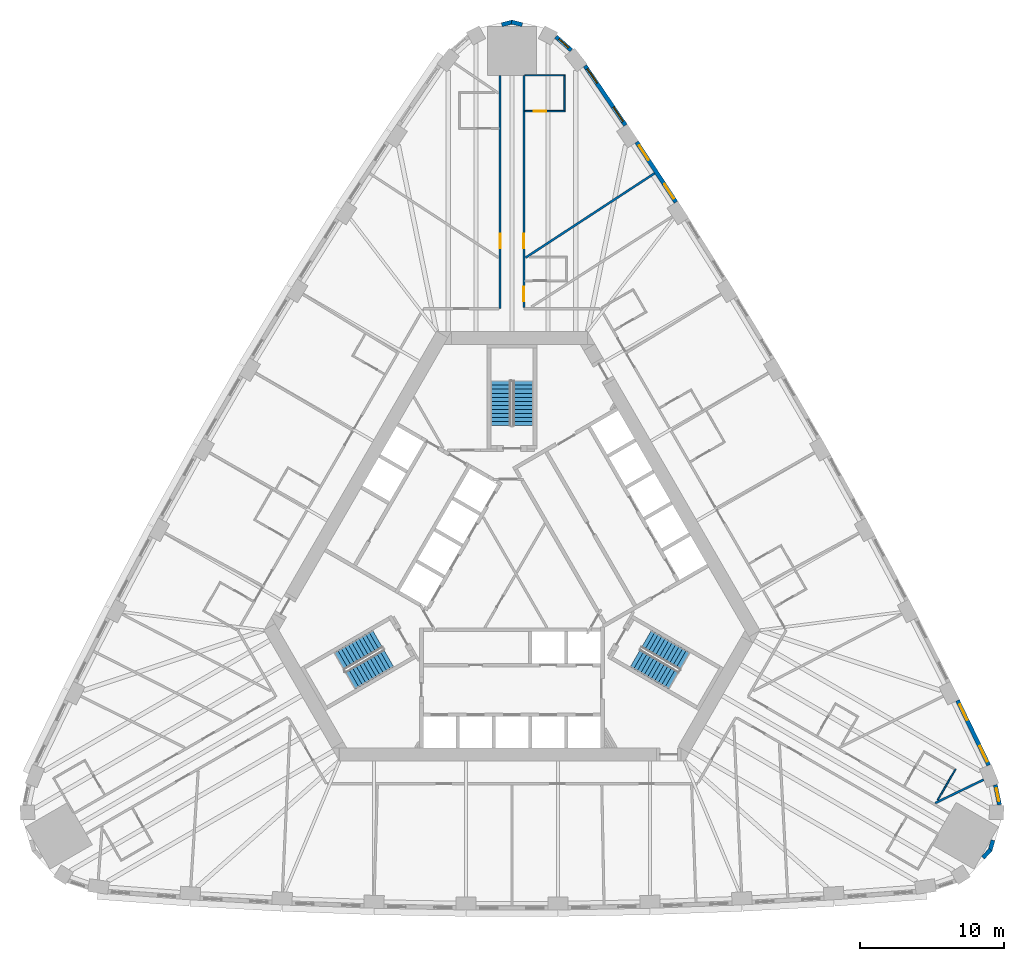
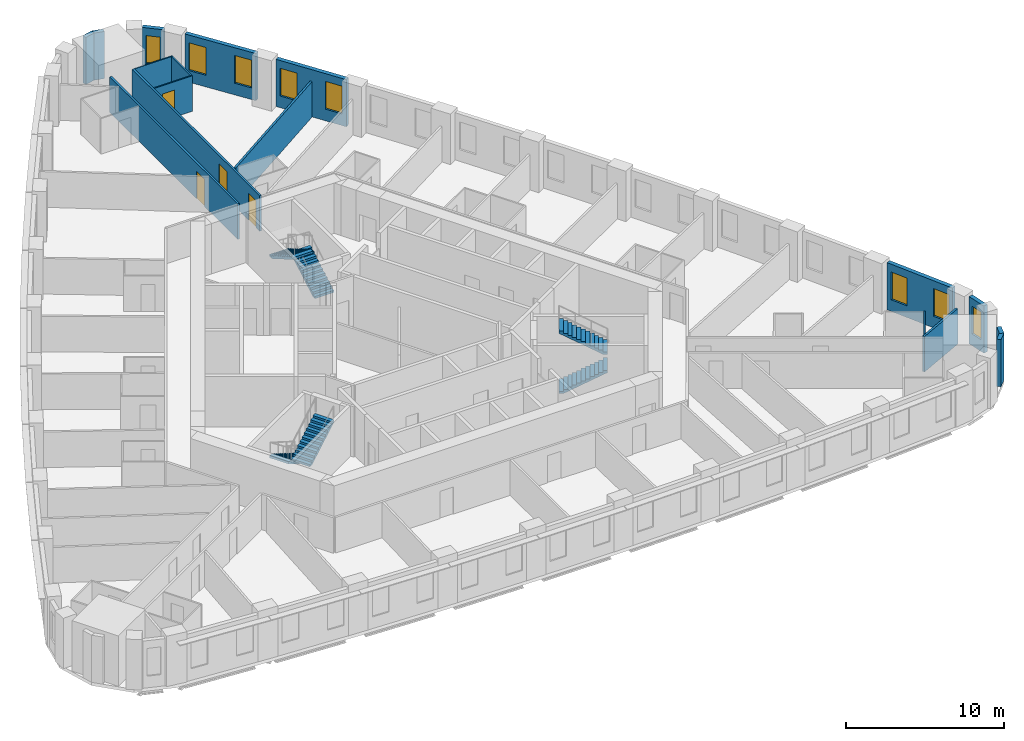
# One storey, part 11 of 12: 17 walls, 8 windows, 6 stair flights, 4 doors, 12 openings, 3 elements without a shape of their own.
"""IFC4 building model written with IfcOpenShell, lengths in metres."""

from ifc_helpers import new_model, si_unit, direction, frame, frame_2d, origin, place, context, subcontext, project, spatial, polyline, rectangle, outline, extrude, material, layer, layer_set, type_object, element, fill, aggregate, save


model = new_model("IFC4")

# Units and contexts
model_context = context("Model", 3, precision=1e-05, world=origin(), true_north=direction((0.0, 1.0)))
body_context = subcontext(model_context, "Body", "Model", "MODEL_VIEW")
ifc_project = project(units=[si_unit("LENGTHUNIT", "METRE"), si_unit("AREAUNIT", "SQUARE_METRE"), si_unit("VOLUMEUNIT", "CUBIC_METRE"), si_unit("PLANEANGLEUNIT", "RADIAN"), si_unit("MASSUNIT", "GRAM", prefix="KILO")], contexts=[model_context])

# Site, building, storey
site_placement = place(None, origin())
site = spatial("IfcSite", under=ifc_project, at=site_placement, CompositionType="ELEMENT")
building_placement = place(site_placement, origin())
building = spatial("IfcBuilding", under=site, at=building_placement, Name="Mestral Congress Tower", CompositionType="ELEMENT")
storey_placement = place(building_placement, frame((0.0, 0.0, 43.199951171875)))
storey = spatial("IfcBuildingStorey", under=building, at=storey_placement, Name="L09", CompositionType="ELEMENT", Elevation=43.199951171875)

# Walls
ifc_material_1 = material(Name="Precast concrete C40/50 with limestone facing", Category="masonry")
ifc_layer_1 = layer(ifc_material_1, 0.2900390625)
ifc_layer_set_1 = layer_set([ifc_layer_1], Name="Precast concrete C40/50 with limestone facing")
wall_type_1 = type_object("IfcWallType", Name="Facade stone wall 290", PredefinedType="SOLIDWALL", material=ifc_layer_set_1)
for number, where, z_axis, x_axis, name in (
    (1, (32.762451171875, -19.732177734375, 0.0), (0.0, 0.0, 1.0), (0.692252359589, 0.721655506903, 0.0), "Facade wall K0-1"),
    (2, (33.256591796875, -19.24072265625, 0.0), (0.0, 0.0, 1.0), (0.278981320915, 0.960296528464, 0.0), "Facade wall K0-2"),
):
    element("IfcWall", number, at=place(storey_placement, frame(where, z_axis=z_axis, x_axis=x_axis)), inside=storey, type_object=wall_type_1, Name=name, PredefinedType="SOLIDWALL", context=body_context, shape_type="SweptSolid", body=[
        extrude(rectangle(XDim=0.763916015625, YDim=0.2900390625, at=frame_2d((0.3818359375, 0.0))), origin(), (0.0, 0.0, 1.0), 3.650146484375),
    ])

# Wall, opening, window
wall_1_placement = place(storey_placement, frame((33.91748046875, -16.043701171875, 0.0), z_axis=(0.0, 0.0, 1.0), x_axis=(-0.198106888228, 0.980180422594, 0.0)))
wall_1 = element("IfcWall", 3, at=wall_1_placement, inside=storey, type_object=wall_type_1, Name="Facade wall K0-3", PredefinedType="SOLIDWALL", context=body_context, shape_type="SweptSolid", body=[
    extrude(rectangle(XDim=1.414794921875, YDim=0.2900390625, at=frame_2d((0.70751953125, 0.0))), origin(), (0.0, 0.0, 1.0), 3.650146484375),
])
opening_1_placement = place(wall_1_placement, frame((0.25732421875, 0.0, 0.89990234375)))
opening_1 = element("IfcOpeningElement", 4, at=opening_1_placement, cuts=wall_1, Name="Opening W3", PredefinedType="OPENING", context=body_context, shape_type="SweptSolid", body=[
    extrude(rectangle(XDim=0.89990234375, YDim=2.14990234375, at=frame_2d((0.449951171875, 1.074951171875))), frame((0.0, 0.155029296875, 0.0), z_axis=(0.0, -1.0, 0.0), x_axis=(1.0, 0.0, 0.0)), (0.0, 0.0, 1.0), 0.31005859375),
])
ifc_material_2 = material(Name="Clear low-emissivity double glazing", Category="glass")
window_type_1 = type_object("IfcWindowType", Name="Facade punched window 900 x 2150 sill 900", PartitioningType="SINGLE_PANEL", PredefinedType="WINDOW", material=ifc_material_2)
window_1_placement = place(opening_1_placement, origin())
window_1 = element("IfcWindow", 5, at=window_1_placement, inside=storey, type_object=window_type_1, Name="Window K0-3", OverallHeight=2.14990234375, OverallWidth=0.89990234375, PartitioningType="SINGLE_PANEL", PredefinedType="WINDOW", context=body_context, shape_type="SweptSolid", body=[
    extrude(rectangle(XDim=0.89990234375, YDim=2.14990234375, at=frame_2d((0.449951171875, 1.074951171875))), frame((0.0, 0.01513671875, 0.0), z_axis=(0.0, -1.0, 0.0), x_axis=(1.0, 0.0, 0.0)), (0.0, 0.0, 1.0), 0.06005859375),
])
fill(opening_1, window_1)

# Wall, openings, windows
wall_2_placement = place(storey_placement, frame((33.176025390625, -13.290283203125, 0.0), z_axis=(0.0, 0.0, 1.0), x_axis=(-0.434664499056, 0.900592456808, 0.0)))
wall_2 = element("IfcWall", 6, at=wall_2_placement, inside=storey, type_object=wall_type_1, Name="Facade wall F1-00", PredefinedType="SOLIDWALL", context=body_context, shape_type="SweptSolid", body=[
    extrude(rectangle(XDim=5.005615234375, YDim=0.2900390625, at=frame_2d((2.5029296875, 0.0))), origin(), (0.0, 0.0, 1.0), 3.650146484375),
])
opening_2_placement = place(wall_2_placement, frame((0.265380859375, 0.0, 0.89990234375)))
opening_2 = element("IfcOpeningElement", 7, at=opening_2_placement, cuts=wall_2, Name="Opening W1", PredefinedType="OPENING", context=body_context, shape_type="SweptSolid", body=[
    extrude(rectangle(XDim=1.199951171875, YDim=2.14990234375, at=frame_2d((0.60009765625, 1.074951171875))), frame((0.0, 0.155029296875, 0.0), z_axis=(0.0, -1.0, 0.0), x_axis=(1.0, 0.0, 0.0)), (0.0, 0.0, 1.0), 0.31005859375),
])
opening_3_placement = place(wall_2_placement, frame((3.49560546875, 0.0, 0.89990234375)))
opening_3 = element("IfcOpeningElement", 8, at=opening_3_placement, cuts=wall_2, Name="Opening W1", PredefinedType="OPENING", context=body_context, shape_type="SweptSolid", body=[
    extrude(rectangle(XDim=1.199951171875, YDim=2.14990234375, at=frame_2d((0.60009765625, 1.074951171875))), frame((0.0, 0.155029296875, 0.0), z_axis=(0.0, -1.0, 0.0), x_axis=(1.0, 0.0, 0.0)), (0.0, 0.0, 1.0), 0.31005859375),
])
window_type_2 = type_object("IfcWindowType", Name="Facade punched window 1200 x 2150 sill 900", PartitioningType="DOUBLE_PANEL_VERTICAL", PredefinedType="WINDOW", material=ifc_material_2)
window_2_placement = place(opening_2_placement, origin())
window_2 = element("IfcWindow", 9, at=window_2_placement, inside=storey, type_object=window_type_2, Name="Window F1-00a", OverallHeight=2.14990234375, OverallWidth=1.199951171875, PartitioningType="DOUBLE_PANEL_VERTICAL", PredefinedType="WINDOW", context=body_context, shape_type="SweptSolid", body=[
    extrude(rectangle(XDim=1.199951171875, YDim=2.14990234375, at=frame_2d((0.60009765625, 1.074951171875))), frame((0.0, 0.01513671875, 0.0), z_axis=(0.0, -1.0, 0.0), x_axis=(1.0, 0.0, 0.0)), (0.0, 0.0, 1.0), 0.06005859375),
])
fill(opening_2, window_2)
window_3_placement = place(opening_3_placement, origin())
window_3 = element("IfcWindow", 10, at=window_3_placement, inside=storey, type_object=window_type_2, Name="Window F1-00b", OverallHeight=2.14990234375, OverallWidth=1.199951171875, PartitioningType="DOUBLE_PANEL_VERTICAL", PredefinedType="WINDOW", context=body_context, shape_type="SweptSolid", body=[
    extrude(rectangle(XDim=1.199951171875, YDim=2.14990234375, at=frame_2d((0.60009765625, 1.074951171875))), frame((0.0, 0.01513671875, 0.0), z_axis=(0.0, -1.0, 0.0), x_axis=(1.0, 0.0, 0.0)), (0.0, 0.0, 1.0), 0.06005859375),
])
fill(opening_3, window_3)

wall_3_placement = place(storey_placement, frame((11.41064453125, 25.884033203125, 0.0), z_axis=(0.0, 0.0, 1.0), x_axis=(-0.547204617628, 0.836998868845, 0.0)))
wall_3 = element("IfcWall", 11, at=wall_3_placement, inside=storey, type_object=wall_type_1, Name="Facade wall F1-07", PredefinedType="SOLIDWALL", context=body_context, shape_type="SweptSolid", body=[
    extrude(rectangle(XDim=4.998291015625, YDim=0.2900390625, at=frame_2d((2.4990234375, 0.0))), origin(), (0.0, 0.0, 1.0), 3.650146484375),
])
opening_4_placement = place(wall_3_placement, frame((0.297119140625, 0.0, 0.89990234375)))
opening_4 = element("IfcOpeningElement", 12, at=opening_4_placement, cuts=wall_3, Name="Opening W1", PredefinedType="OPENING", context=body_context, shape_type="SweptSolid", body=[
    extrude(rectangle(XDim=1.199951171875, YDim=2.14990234375, at=frame_2d((0.60009765625, 1.074951171875))), frame((0.0, 0.155029296875, 0.0), z_axis=(0.0, -1.0, 0.0), x_axis=(1.0, 0.0, 0.0)), (0.0, 0.0, 1.0), 0.31005859375),
])
opening_5_placement = place(wall_3_placement, frame((3.501220703125, 0.0, 0.89990234375)))
opening_5 = element("IfcOpeningElement", 13, at=opening_5_placement, cuts=wall_3, Name="Opening W1", PredefinedType="OPENING", context=body_context, shape_type="SweptSolid", body=[
    extrude(rectangle(XDim=1.199951171875, YDim=2.14990234375, at=frame_2d((0.60009765625, 1.074951171875))), frame((0.0, 0.155029296875, 0.0), z_axis=(0.0, -1.0, 0.0), x_axis=(1.0, 0.0, 0.0)), (0.0, 0.0, 1.0), 0.31005859375),
])
window_4_placement = place(opening_4_placement, origin())
window_4 = element("IfcWindow", 14, at=window_4_placement, inside=storey, type_object=window_type_2, Name="Window F1-07a", OverallHeight=2.14990234375, OverallWidth=1.199951171875, PartitioningType="DOUBLE_PANEL_VERTICAL", PredefinedType="WINDOW", context=body_context, shape_type="SweptSolid", body=[
    extrude(rectangle(XDim=1.199951171875, YDim=2.14990234375, at=frame_2d((0.60009765625, 1.074951171875))), frame((0.0, 0.01513671875, 0.0), z_axis=(0.0, -1.0, 0.0), x_axis=(1.0, 0.0, 0.0)), (0.0, 0.0, 1.0), 0.06005859375),
])
fill(opening_4, window_4)
window_5_placement = place(opening_5_placement, origin())
window_5 = element("IfcWindow", 15, at=window_5_placement, inside=storey, type_object=window_type_2, Name="Window F1-07b", OverallHeight=2.14990234375, OverallWidth=1.199951171875, PartitioningType="DOUBLE_PANEL_VERTICAL", PredefinedType="WINDOW", context=body_context, shape_type="SweptSolid", body=[
    extrude(rectangle(XDim=1.199951171875, YDim=2.14990234375, at=frame_2d((0.60009765625, 1.074951171875))), frame((0.0, 0.01513671875, 0.0), z_axis=(0.0, -1.0, 0.0), x_axis=(1.0, 0.0, 0.0)), (0.0, 0.0, 1.0), 0.06005859375),
])
fill(opening_5, window_5)

wall_4_placement = place(storey_placement, frame((7.89453125, 31.23828125, 0.0), z_axis=(0.0, 0.0, 1.0), x_axis=(-0.562610153679, 0.826722332454, 0.0)))
wall_4 = element("IfcWall", 16, at=wall_4_placement, inside=storey, type_object=wall_type_1, Name="Facade wall F1-08", PredefinedType="SOLIDWALL", context=body_context, shape_type="SweptSolid", body=[
    extrude(rectangle(XDim=5.005615234375, YDim=0.2900390625, at=frame_2d((2.5029296875, 0.0))), origin(), (0.0, 0.0, 1.0), 3.650146484375),
])
opening_6_placement = place(wall_4_placement, frame((0.310302734375, 0.0, 0.89990234375)))
opening_6 = element("IfcOpeningElement", 17, at=opening_6_placement, cuts=wall_4, Name="Opening W1", PredefinedType="OPENING", context=body_context, shape_type="SweptSolid", body=[
    extrude(rectangle(XDim=1.199951171875, YDim=2.14990234375, at=frame_2d((0.60009765625, 1.074951171875))), frame((0.0, 0.155029296875, 0.0), z_axis=(0.0, -1.0, 0.0), x_axis=(1.0, 0.0, 0.0)), (0.0, 0.0, 1.0), 0.31005859375),
])
opening_7_placement = place(wall_4_placement, frame((3.54052734375, 0.0, 0.89990234375)))
opening_7 = element("IfcOpeningElement", 18, at=opening_7_placement, cuts=wall_4, Name="Opening W1", PredefinedType="OPENING", context=body_context, shape_type="SweptSolid", body=[
    extrude(rectangle(XDim=1.199951171875, YDim=2.14990234375, at=frame_2d((0.60009765625, 1.074951171875))), frame((0.0, 0.155029296875, 0.0), z_axis=(0.0, -1.0, 0.0), x_axis=(1.0, 0.0, 0.0)), (0.0, 0.0, 1.0), 0.31005859375),
])
window_6_placement = place(opening_6_placement, origin())
window_6 = element("IfcWindow", 19, at=window_6_placement, inside=storey, type_object=window_type_2, Name="Window F1-08a", OverallHeight=2.14990234375, OverallWidth=1.199951171875, PartitioningType="DOUBLE_PANEL_VERTICAL", PredefinedType="WINDOW", context=body_context, shape_type="SweptSolid", body=[
    extrude(rectangle(XDim=1.199951171875, YDim=2.14990234375, at=frame_2d((0.60009765625, 1.074951171875))), frame((0.0, 0.01513671875, 0.0), z_axis=(0.0, -1.0, 0.0), x_axis=(1.0, 0.0, 0.0)), (0.0, 0.0, 1.0), 0.06005859375),
])
fill(opening_6, window_6)
window_7_placement = place(opening_7_placement, origin())
window_7 = element("IfcWindow", 20, at=window_7_placement, inside=storey, type_object=window_type_2, Name="Window F1-08b", OverallHeight=2.14990234375, OverallWidth=1.199951171875, PartitioningType="DOUBLE_PANEL_VERTICAL", PredefinedType="WINDOW", context=body_context, shape_type="SweptSolid", body=[
    extrude(rectangle(XDim=1.199951171875, YDim=2.14990234375, at=frame_2d((0.60009765625, 1.074951171875))), frame((0.0, 0.01513671875, 0.0), z_axis=(0.0, -1.0, 0.0), x_axis=(1.0, 0.0, 0.0)), (0.0, 0.0, 1.0), 0.06005859375),
])
fill(opening_7, window_7)

# Wall, opening, window
wall_5_placement = place(storey_placement, frame((4.12548828125, 36.458984375, 0.0), z_axis=(0.0, 0.0, 1.0), x_axis=(-0.749812680302, 0.661650167731, 0.0)))
wall_5 = element("IfcWall", 21, at=wall_5_placement, inside=storey, type_object=wall_type_1, Name="Facade wall K1-0", PredefinedType="SOLIDWALL", context=body_context, shape_type="SweptSolid", body=[
    extrude(rectangle(XDim=1.4150390625, YDim=0.2900390625, at=frame_2d((0.70751953125, 0.0))), origin(), (0.0, 0.0, 1.0), 3.650146484375),
])
opening_8_placement = place(wall_5_placement, frame((0.257568359375, 0.0, 0.89990234375)))
opening_8 = element("IfcOpeningElement", 22, at=opening_8_placement, cuts=wall_5, Name="Opening W3", PredefinedType="OPENING", context=body_context, shape_type="SweptSolid", body=[
    extrude(rectangle(XDim=0.89990234375, YDim=2.14990234375, at=frame_2d((0.449951171875, 1.074951171875))), frame((0.0, 0.155029296875, 0.0), z_axis=(0.0, -1.0, 0.0), x_axis=(1.0, 0.0, 0.0)), (0.0, 0.0, 1.0), 0.31005859375),
])
window_8_placement = place(opening_8_placement, origin())
window_8 = element("IfcWindow", 23, at=window_8_placement, inside=storey, type_object=window_type_1, Name="Window K1-0", OverallHeight=2.14990234375, OverallWidth=0.89990234375, PartitioningType="SINGLE_PANEL", PredefinedType="WINDOW", context=body_context, shape_type="SweptSolid", body=[
    extrude(rectangle(XDim=0.89990234375, YDim=2.14990234375, at=frame_2d((0.449951171875, 1.074951171875))), frame((0.0, 0.01513671875, 0.0), z_axis=(0.0, -1.0, 0.0), x_axis=(1.0, 0.0, 0.0)), (0.0, 0.0, 1.0), 0.06005859375),
])
fill(opening_8, window_8)

# Walls
for number, where, z_axis, x_axis, name in (
    (24, (0.707275390625, 38.2392578125, 0.0), (0.0, 0.0, 1.0), (-0.971167582305, 0.238397833629, 0.0), "Facade wall K1-1"),
    (25, (0.03466796875, 38.42138671875, 0.0), (0.0, 0.0, 1.0), (-0.971167582305, -0.238397833629, 0.0), "Facade wall K1-2"),
):
    element("IfcWall", number, at=place(storey_placement, frame(where, z_axis=z_axis, x_axis=x_axis)), inside=storey, type_object=wall_type_1, Name=name, PredefinedType="SOLIDWALL", context=body_context, shape_type="SweptSolid", body=[
        extrude(rectangle(XDim=0.763916015625, YDim=0.2900390625, at=frame_2d((0.3818359375, 0.0))), origin(), (0.0, 0.0, 1.0), 3.650146484375),
    ])
ifc_material_3 = material(Name="Gypsum board partition on metal studs with mineral wool", Category="composite")
ifc_layer_2 = layer(ifc_material_3, 0.10009765625)
ifc_layer_set_2 = layer_set([ifc_layer_2], Name="Gypsum board partition on metal studs with mineral wool")
wall_type_2 = type_object("IfcWallType", Name="Hotel partition wall 100", PredefinedType="PARTITIONING", material=ifc_layer_set_2)
wall_6_placement = place(storey_placement, frame((29.619384765625, -15.715087890625, 0.0), z_axis=(0.0, 0.0, 1.0), x_axis=(0.500004234368, 0.866022959057, 0.0)))
element("IfcWall", 26, at=wall_6_placement, inside=storey, type_object=wall_type_2, Name="L09-h-pod10c", PredefinedType="PARTITIONING", context=body_context, shape_type="SweptSolid", body=[
    extrude(rectangle(XDim=2.5, YDim=0.10009765625, at=frame_2d((1.25, 0.0))), origin(), (0.0, 0.0, 1.0), 2.75),
])

# Wall, opening, door
wall_7_placement = place(storey_placement, frame((0.89990234375, 32.218994140625, 0.0), z_axis=(0.0, 0.0, 1.0), x_axis=(1.0, 0.0, 0.0)))
wall_7 = element("IfcWall", 27, at=wall_7_placement, inside=storey, type_object=wall_type_2, Name="L09-h-pod18a", PredefinedType="PARTITIONING", context=body_context, shape_type="SweptSolid", body=[
    extrude(rectangle(XDim=2.800048828125, YDim=0.10009765625, at=frame_2d((1.39990234375, 0.0))), origin(), (0.0, 0.0, 1.0), 2.75),
])
opening_9_placement = place(wall_7_placement, frame((0.60009765625, 0.0, 0.0)))
opening_9 = element("IfcOpeningElement", 28, at=opening_9_placement, cuts=wall_7, Name="Opening H02-029", PredefinedType="OPENING", context=body_context, shape_type="SweptSolid", body=[
    extrude(rectangle(XDim=0.89990234375, YDim=2.10009765625, at=frame_2d((0.449951171875, 1.050048828125))), frame((0.0, 0.06005859375, 0.0), z_axis=(0.0, -1.0, 0.0), x_axis=(1.0, 0.0, 0.0)), (0.0, 0.0, 1.0), 0.1201171875),
])
ifc_material_4 = material(Name="Timber veneer door leaf in timber frame", Category="wood")
door_type_1 = type_object("IfcDoorType", Name="Bathroom door 900", OperationType="SINGLE_SWING_LEFT", PredefinedType="DOOR", material=ifc_material_4)
door_1_placement = place(opening_9_placement, origin())
door_1 = element("IfcDoor", 29, at=door_1_placement, inside=storey, type_object=door_type_1, Name="L09-h-d029", OperationType="SINGLE_SWING_RIGHT", OverallHeight=2.10009765625, OverallWidth=0.89990234375, PredefinedType="DOOR", context=body_context, shape_type="SweptSolid", body=[
    extrude(rectangle(XDim=0.89990234375, YDim=2.10009765625, at=frame_2d((0.449951171875, 1.050048828125))), frame((0.0, 0.02490234375, 0.0), z_axis=(0.0, -1.0, 0.0), x_axis=(1.0, 0.0, 0.0)), (0.0, 0.0, 1.0), 0.050048828125),
])
fill(opening_9, door_1)

# Walls
wall_8_placement = place(storey_placement, frame((3.64990234375, 32.268798828125, 0.0), z_axis=(0.0, 0.0, 1.0), x_axis=(0.0, 1.0, 0.0)))
element("IfcWall", 30, at=wall_8_placement, inside=storey, type_object=wall_type_2, Name="L09-h-pod18b", PredefinedType="PARTITIONING", context=body_context, shape_type="SweptSolid", body=[
    extrude(rectangle(XDim=2.400146484375, YDim=0.10009765625, at=frame_2d((1.2001953125, 0.0))), origin(), (0.0, 0.0, 1.0), 2.75),
])
wall_9_placement = place(storey_placement, frame((0.89990234375, 34.718994140625, 0.0), z_axis=(0.0, 0.0, 1.0), x_axis=(1.0, 0.0, 0.0)))
element("IfcWall", 31, at=wall_9_placement, inside=storey, type_object=wall_type_2, Name="L09-h-pod18c", PredefinedType="PARTITIONING", context=body_context, shape_type="SweptSolid", body=[
    extrude(rectangle(XDim=2.800048828125, YDim=0.10009765625, at=frame_2d((1.39990234375, 0.0))), origin(), (0.0, 0.0, 1.0), 2.75),
])

# Wall, openings, doors
ifc_layer_3 = layer(ifc_material_3, 0.14990234375)
ifc_layer_set_3 = layer_set([ifc_layer_3], Name="Gypsum board partition on metal studs with mineral wool")
wall_type_3 = type_object("IfcWallType", Name="Hotel partition wall 150", PredefinedType="PARTITIONING", material=ifc_layer_set_3)
wall_10_placement = place(storey_placement, frame((0.824951171875, 34.698974609375, 0.0), z_axis=(0.0, 0.0, 1.0), x_axis=(0.0, -1.0, 0.0)))
wall_10 = element("IfcWall", 32, at=wall_10_placement, inside=storey, type_object=wall_type_3, Name="L09-h-cw05", PredefinedType="PARTITIONING", context=body_context, shape_type="SweptSolid", body=[
    extrude(rectangle(XDim=16.14404296875, YDim=0.14990234375, at=frame_2d((8.072021484375, 0.0))), origin(), (0.0, 0.0, 1.0), 2.75),
])
opening_10_placement = place(wall_10_placement, frame((14.7138671875, 0.0, 0.0)))
opening_10 = element("IfcOpeningElement", 33, at=opening_10_placement, cuts=wall_10, Name="Opening H02-026", PredefinedType="OPENING", context=body_context, shape_type="SweptSolid", body=[
    extrude(rectangle(XDim=1.0, YDim=2.10009765625, at=frame_2d((0.5, 1.050048828125))), frame((0.0, 0.0849609375, 0.0), z_axis=(0.0, -1.0, 0.0), x_axis=(1.0, 0.0, 0.0)), (0.0, 0.0, 1.0), 0.169921875),
])
opening_11_placement = place(wall_10_placement, frame((11.004638671875, 0.0, 0.0)))
opening_11 = element("IfcOpeningElement", 34, at=opening_11_placement, cuts=wall_10, Name="Opening H02-028", PredefinedType="OPENING", context=body_context, shape_type="SweptSolid", body=[
    extrude(rectangle(XDim=1.0, YDim=2.10009765625, at=frame_2d((0.5, 1.050048828125))), frame((0.0, 0.0849609375, 0.0), z_axis=(0.0, -1.0, 0.0), x_axis=(1.0, 0.0, 0.0)), (0.0, 0.0, 1.0), 0.169921875),
])
ifc_material_5 = material(Name="Timber veneer door leaf in metal frame", Category="wood")
door_type_2 = type_object("IfcDoorType", Name="Guest room entrance door 1000", OperationType="SINGLE_SWING_LEFT", PredefinedType="DOOR", material=ifc_material_5)
door_2_placement = place(opening_10_placement, origin())
door_2 = element("IfcDoor", 35, at=door_2_placement, inside=storey, type_object=door_type_2, Name="L09-h-d026", OperationType="SINGLE_SWING_RIGHT", OverallHeight=2.10009765625, OverallWidth=1.0, PredefinedType="DOOR", context=body_context, shape_type="SweptSolid", body=[
    extrude(rectangle(XDim=1.0, YDim=2.10009765625, at=frame_2d((0.5, 1.050048828125))), frame((0.0, 0.02490234375, 0.0), z_axis=(0.0, -1.0, 0.0), x_axis=(1.0, 0.0, 0.0)), (0.0, 0.0, 1.0), 0.050048828125),
])
fill(opening_10, door_2)
door_3_placement = place(opening_11_placement, origin())
door_3 = element("IfcDoor", 36, at=door_3_placement, inside=storey, type_object=door_type_2, Name="L09-h-d028", OperationType="SINGLE_SWING_RIGHT", OverallHeight=2.10009765625, OverallWidth=1.0, PredefinedType="DOOR", context=body_context, shape_type="SweptSolid", body=[
    extrude(rectangle(XDim=1.0, YDim=2.10009765625, at=frame_2d((0.5, 1.050048828125))), frame((0.0, 0.02490234375, 0.0), z_axis=(0.0, -1.0, 0.0), x_axis=(1.0, 0.0, 0.0)), (0.0, 0.0, 1.0), 0.050048828125),
])
fill(opening_11, door_3)

# Wall, opening, door
wall_11_placement = place(storey_placement, frame((-0.824951171875, 18.47509765625, 0.0), z_axis=(0.0, 0.0, 1.0), x_axis=(0.0, 1.0, 0.0)))
wall_11 = element("IfcWall", 37, at=wall_11_placement, inside=storey, type_object=wall_type_3, Name="L09-h-cw06", PredefinedType="PARTITIONING", context=body_context, shape_type="SweptSolid", body=[
    extrude(rectangle(XDim=16.223876953125, YDim=0.14990234375, at=frame_2d((8.11181640625, 0.0))), origin(), (0.0, 0.0, 1.0), 2.75),
])
opening_12_placement = place(wall_11_placement, frame((4.219970703125, 0.0, 0.0)))
opening_12 = element("IfcOpeningElement", 38, at=opening_12_placement, cuts=wall_11, Name="Opening H02-030", PredefinedType="OPENING", context=body_context, shape_type="SweptSolid", body=[
    extrude(rectangle(XDim=1.0, YDim=2.10009765625, at=frame_2d((0.5, 1.050048828125))), frame((0.0, 0.0849609375, 0.0), z_axis=(0.0, -1.0, 0.0), x_axis=(1.0, 0.0, 0.0)), (0.0, 0.0, 1.0), 0.169921875),
])
door_4_placement = place(opening_12_placement, origin())
door_4 = element("IfcDoor", 39, at=door_4_placement, inside=storey, type_object=door_type_2, Name="L09-h-d030", OperationType="SINGLE_SWING_LEFT", OverallHeight=2.10009765625, OverallWidth=1.0, PredefinedType="DOOR", context=body_context, shape_type="SweptSolid", body=[
    extrude(rectangle(XDim=1.0, YDim=2.10009765625, at=frame_2d((0.5, 1.050048828125))), frame((0.0, 0.02490234375, 0.0), z_axis=(0.0, -1.0, 0.0), x_axis=(1.0, 0.0, 0.0)), (0.0, 0.0, 1.0), 0.050048828125),
])
fill(opening_12, door_4)

# Walls
wall_12_placement = place(storey_placement, frame((9.921630859375, 27.896484375, 0.0), z_axis=(0.0, 0.0, 1.0), x_axis=(-0.836970816595, -0.547247523675, 0.0)))
element("IfcWall", 40, at=wall_12_placement, inside=storey, type_object=wall_type_3, Name="L09-h-pw15", PredefinedType="PARTITIONING", context=body_context, shape_type="SweptSolid", body=[
    extrude(rectangle(XDim=10.728759765625, YDim=0.14990234375, at=frame_2d((5.3642578125, 0.0))), origin(), (0.0, 0.0, 1.0), 2.75),
])
wall_13_placement = place(storey_placement, frame((32.8173828125, -14.29638671875, 0.0), z_axis=(0.0, 0.0, 1.0), x_axis=(-0.900616957918, -0.434613730927, 0.0)))
element("IfcWall", 41, at=wall_13_placement, inside=storey, type_object=wall_type_3, Name="L09-h-pw27", PredefinedType="PARTITIONING", context=body_context, shape_type="SweptSolid", body=[
    extrude(rectangle(XDim=3.7333984375, YDim=0.14990234375, at=frame_2d((1.86669921875, 0.0))), origin(), (0.0, 0.0, 1.0), 2.75),
])

# Stair, stair flights
ifc_material_6 = material(Name="Concrete C60/75", Category="concrete")
stair_type = type_object("IfcStairType", Name="Exit stair 1400", PredefinedType="HALF_TURN_STAIR", material=ifc_material_6)
placement = place(storey_placement, origin())
stair_1 = element("IfcStair", 42, at=placement, inside=storey, type_object=stair_type, Name="L09 ST1", PredefinedType="HALF_TURN_STAIR")
stair_flight_type = type_object("IfcStairFlightType", Name="Exit stair flight 1400", PredefinedType="STRAIGHT", material=ifc_material_6)
stair_flight_1_placement = place(storey_placement, frame((8.575927734375, -5.84619140625, 0.0), z_axis=(0.0, 0.0, 1.0), x_axis=(0.866025403784, -0.5, 0.0)))
stair_flight_1 = element("IfcStairFlight", 43, at=stair_flight_1_placement, type_object=stair_flight_type, Name="ST1 flight 1", NumberOfRisers=12, NumberOfTreads=11, PredefinedType="STRAIGHT", RiserHeight=0.1625, TreadLength=0.28, context=body_context, shape_type="SweptSolid", body=[
    extrude(outline(polyline([(0.0, 0.0), (0.0, 0.16259765625), (0.280029296875, 0.16259765625), (0.280029296875, 0.324951171875), (0.56005859375, 0.324951171875), (0.56005859375, 0.487548828125), (0.840087890625, 0.487548828125), (0.840087890625, 0.64990234375), (1.1201171875, 0.64990234375), (1.1201171875, 0.8125), (1.39990234375, 0.8125), (1.39990234375, 0.97509765625), (1.679931640625, 0.97509765625), (1.679931640625, 1.137451171875), (1.9599609375, 1.137451171875), (1.9599609375, 1.300048828125), (2.239990234375, 1.300048828125), (2.239990234375, 1.46240234375), (2.52001953125, 1.46240234375), (2.52001953125, 1.625), (2.800048828125, 1.625), (2.800048828125, 1.78759765625), (3.080078125, 1.78759765625), (3.080078125, 1.949951171875), (3.080078125, 1.6142578125), (0.298583984375, 0.0), (0.0, 0.0)])), frame((0.0, 0.699951171875, 0.0), z_axis=(0.0, -1.0, 0.0), x_axis=(1.0, 0.0, 0.0)), (0.0, 0.0, 1.0), 1.39990234375),
])
stair_flight_2_placement = place(storey_placement, frame((12.018310546875, -6.0439453125, 1.949951171875), z_axis=(0.0, 0.0, 1.0), x_axis=(-0.866025403784, 0.5, 0.0)))
stair_flight_2 = element("IfcStairFlight", 44, at=stair_flight_2_placement, type_object=stair_flight_type, Name="ST1 flight 2", NumberOfRisers=12, NumberOfTreads=11, PredefinedType="STRAIGHT", RiserHeight=0.1625, TreadLength=0.28, context=body_context, shape_type="SweptSolid", body=[
    extrude(outline(polyline([(0.0, 0.0), (0.0, 0.16259765625), (0.280029296875, 0.16259765625), (0.280029296875, 0.324951171875), (0.56005859375, 0.324951171875), (0.56005859375, 0.487548828125), (0.840087890625, 0.487548828125), (0.840087890625, 0.64990234375), (1.1201171875, 0.64990234375), (1.1201171875, 0.8125), (1.39990234375, 0.8125), (1.39990234375, 0.97509765625), (1.679931640625, 0.97509765625), (1.679931640625, 1.137451171875), (1.9599609375, 1.137451171875), (1.9599609375, 1.300048828125), (2.239990234375, 1.300048828125), (2.239990234375, 1.46240234375), (2.52001953125, 1.46240234375), (2.52001953125, 1.625), (2.800048828125, 1.625), (2.800048828125, 1.78759765625), (3.080078125, 1.78759765625), (3.080078125, 1.949951171875), (3.080078125, 1.6142578125), (0.298583984375, 0.0), (0.0, 0.0)])), frame((0.0, 0.699951171875, 0.0), z_axis=(0.0, -1.0, 0.0), x_axis=(1.0, 0.0, 0.0)), (0.0, 0.0, 1.0), 1.39990234375),
])
aggregate(stair_1, [stair_flight_1, stair_flight_2])

stair_2 = element("IfcStair", 45, at=placement, inside=storey, type_object=stair_type, Name="L09 ST2", PredefinedType="HALF_TURN_STAIR")
stair_flight_3_placement = place(storey_placement, frame((0.77490234375, 10.35009765625, 0.0), z_axis=(0.0, 0.0, 1.0), x_axis=(0.0, 1.0, 0.0)))
stair_flight_3 = element("IfcStairFlight", 46, at=stair_flight_3_placement, type_object=stair_flight_type, Name="ST2 flight 1", NumberOfRisers=12, NumberOfTreads=11, PredefinedType="STRAIGHT", RiserHeight=0.1625, TreadLength=0.28, context=body_context, shape_type="SweptSolid", body=[
    extrude(outline(polyline([(0.0, 0.0), (0.0, 0.16259765625), (0.280029296875, 0.16259765625), (0.280029296875, 0.324951171875), (0.56005859375, 0.324951171875), (0.56005859375, 0.487548828125), (0.840087890625, 0.487548828125), (0.840087890625, 0.64990234375), (1.1201171875, 0.64990234375), (1.1201171875, 0.8125), (1.39990234375, 0.8125), (1.39990234375, 0.97509765625), (1.679931640625, 0.97509765625), (1.679931640625, 1.137451171875), (1.9599609375, 1.137451171875), (1.9599609375, 1.300048828125), (2.239990234375, 1.300048828125), (2.239990234375, 1.46240234375), (2.52001953125, 1.46240234375), (2.52001953125, 1.625), (2.800048828125, 1.625), (2.800048828125, 1.78759765625), (3.080078125, 1.78759765625), (3.080078125, 1.949951171875), (3.080078125, 1.6142578125), (0.298583984375, 0.0), (0.0, 0.0)])), frame((0.0, 0.699951171875, 0.0), z_axis=(0.0, -1.0, 0.0), x_axis=(1.0, 0.0, 0.0)), (0.0, 0.0, 1.0), 1.39990234375),
])
stair_flight_4_placement = place(storey_placement, frame((-0.77490234375, 13.429931640625, 1.949951171875), z_axis=(0.0, 0.0, 1.0), x_axis=(0.0, -1.0, 0.0)))
stair_flight_4 = element("IfcStairFlight", 47, at=stair_flight_4_placement, type_object=stair_flight_type, Name="ST2 flight 2", NumberOfRisers=12, NumberOfTreads=11, PredefinedType="STRAIGHT", RiserHeight=0.1625, TreadLength=0.28, context=body_context, shape_type="SweptSolid", body=[
    extrude(outline(polyline([(0.0, 0.0), (0.0, 0.16259765625), (0.280029296875, 0.16259765625), (0.280029296875, 0.324951171875), (0.56005859375, 0.324951171875), (0.56005859375, 0.487548828125), (0.840087890625, 0.487548828125), (0.840087890625, 0.64990234375), (1.1201171875, 0.64990234375), (1.1201171875, 0.8125), (1.39990234375, 0.8125), (1.39990234375, 0.97509765625), (1.679931640625, 0.97509765625), (1.679931640625, 1.137451171875), (1.9599609375, 1.137451171875), (1.9599609375, 1.300048828125), (2.239990234375, 1.300048828125), (2.239990234375, 1.46240234375), (2.52001953125, 1.46240234375), (2.52001953125, 1.625), (2.800048828125, 1.625), (2.800048828125, 1.78759765625), (3.080078125, 1.78759765625), (3.080078125, 1.949951171875), (3.080078125, 1.6142578125), (0.298583984375, 0.0), (0.0, 0.0)])), frame((0.0, 0.699951171875, 0.0), z_axis=(0.0, -1.0, 0.0), x_axis=(1.0, 0.0, 0.0)), (0.0, 0.0, 1.0), 1.39990234375),
])
aggregate(stair_2, [stair_flight_3, stair_flight_4])

stair_3 = element("IfcStair", 48, at=placement, inside=storey, type_object=stair_type, Name="L09 ST3", PredefinedType="HALF_TURN_STAIR")
stair_flight_5_placement = place(storey_placement, frame((-9.350830078125, -4.50390625, 0.0), z_axis=(0.0, 0.0, 1.0), x_axis=(-0.866025403784, -0.5, 0.0)))
stair_flight_5 = element("IfcStairFlight", 49, at=stair_flight_5_placement, type_object=stair_flight_type, Name="ST3 flight 1", NumberOfRisers=12, NumberOfTreads=11, PredefinedType="STRAIGHT", RiserHeight=0.1625, TreadLength=0.28, context=body_context, shape_type="SweptSolid", body=[
    extrude(outline(polyline([(0.0, 0.0), (0.0, 0.16259765625), (0.280029296875, 0.16259765625), (0.280029296875, 0.324951171875), (0.56005859375, 0.324951171875), (0.56005859375, 0.487548828125), (0.840087890625, 0.487548828125), (0.840087890625, 0.64990234375), (1.1201171875, 0.64990234375), (1.1201171875, 0.8125), (1.39990234375, 0.8125), (1.39990234375, 0.97509765625), (1.679931640625, 0.97509765625), (1.679931640625, 1.137451171875), (1.9599609375, 1.137451171875), (1.9599609375, 1.300048828125), (2.239990234375, 1.300048828125), (2.239990234375, 1.46240234375), (2.52001953125, 1.46240234375), (2.52001953125, 1.625), (2.800048828125, 1.625), (2.800048828125, 1.78759765625), (3.080078125, 1.78759765625), (3.080078125, 1.949951171875), (3.080078125, 1.6142578125), (0.298583984375, 0.0), (0.0, 0.0)])), frame((0.0, 0.699951171875, 0.0), z_axis=(0.0, -1.0, 0.0), x_axis=(1.0, 0.0, 0.0)), (0.0, 0.0, 1.0), 1.39990234375),
])
stair_flight_6_placement = place(storey_placement, frame((-11.2431640625, -7.38623046875, 1.949951171875), z_axis=(0.0, 0.0, 1.0), x_axis=(0.866025403784, 0.5, 0.0)))
stair_flight_6 = element("IfcStairFlight", 50, at=stair_flight_6_placement, type_object=stair_flight_type, Name="ST3 flight 2", NumberOfRisers=12, NumberOfTreads=11, PredefinedType="STRAIGHT", RiserHeight=0.1625, TreadLength=0.28, context=body_context, shape_type="SweptSolid", body=[
    extrude(outline(polyline([(0.0, 0.0), (0.0, 0.16259765625), (0.280029296875, 0.16259765625), (0.280029296875, 0.324951171875), (0.56005859375, 0.324951171875), (0.56005859375, 0.487548828125), (0.840087890625, 0.487548828125), (0.840087890625, 0.64990234375), (1.1201171875, 0.64990234375), (1.1201171875, 0.8125), (1.39990234375, 0.8125), (1.39990234375, 0.97509765625), (1.679931640625, 0.97509765625), (1.679931640625, 1.137451171875), (1.9599609375, 1.137451171875), (1.9599609375, 1.300048828125), (2.239990234375, 1.300048828125), (2.239990234375, 1.46240234375), (2.52001953125, 1.46240234375), (2.52001953125, 1.625), (2.800048828125, 1.625), (2.800048828125, 1.78759765625), (3.080078125, 1.78759765625), (3.080078125, 1.949951171875), (3.080078125, 1.6142578125), (0.298583984375, 0.0), (0.0, 0.0)])), frame((0.0, 0.699951171875, 0.0), z_axis=(0.0, -1.0, 0.0), x_axis=(1.0, 0.0, 0.0)), (0.0, 0.0, 1.0), 1.39990234375),
])
aggregate(stair_3, [stair_flight_5, stair_flight_6])

save(model, "model.ifc")
